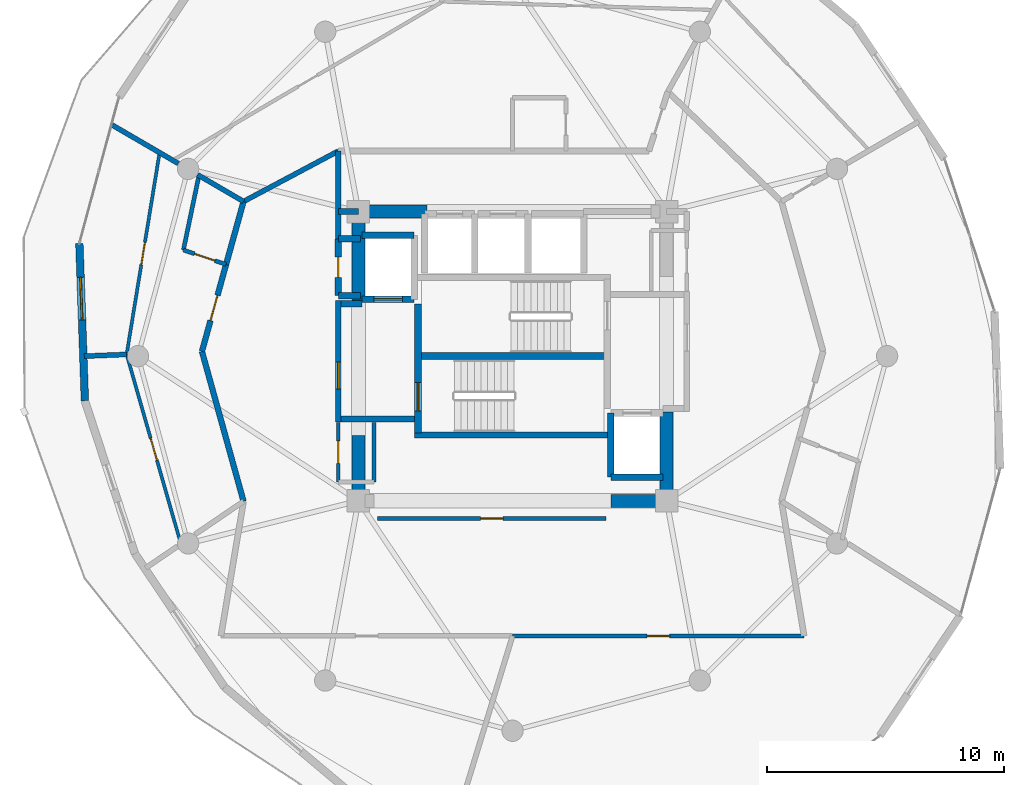
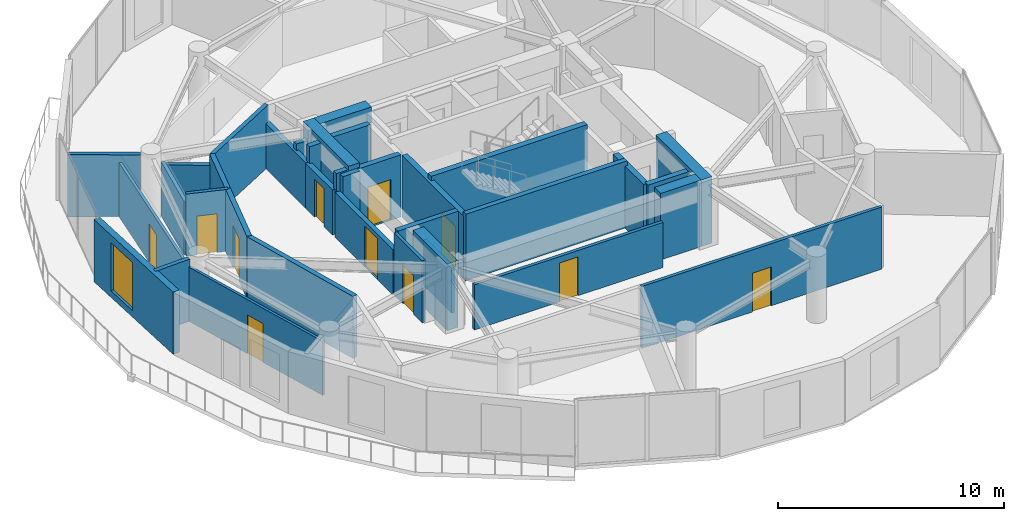
# One storey, part 14 of 18: 36 walls, 11 doors, 1 window, 12 openings.
"""IFC4 building model written with IfcOpenShell, lengths in metres."""

from ifc_helpers import new_model, si_unit, direction, frame, frame_2d, origin, place, context, subcontext, project, spatial, rectangle, extrude, material, layer, layer_set, type_object, element, fill, save


model = new_model("IFC4")

# Units and contexts
model_context = context("Model", 3, precision=1e-05, world=origin(), true_north=direction((0.0, 1.0)))
body_context = subcontext(model_context, "Body", "Model", "MODEL_VIEW")
ifc_project = project(units=[si_unit("LENGTHUNIT", "METRE"), si_unit("AREAUNIT", "SQUARE_METRE"), si_unit("VOLUMEUNIT", "CUBIC_METRE"), si_unit("PLANEANGLEUNIT", "RADIAN"), si_unit("MASSUNIT", "GRAM", prefix="KILO")], contexts=[model_context])

# Site, building, storey
site_placement = place(None, origin())
site = spatial("IfcSite", under=ifc_project, at=site_placement, CompositionType="ELEMENT")
building_placement = place(site_placement, origin())
building = spatial("IfcBuilding", under=site, at=building_placement, Name="Solvirekh Grand Hotel", CompositionType="ELEMENT")
storey_placement = place(building_placement, frame((0.0, 0.0, 202.0)))
storey = spatial("IfcBuildingStorey", under=building, at=storey_placement, Name="L52", CompositionType="ELEMENT", Elevation=202.0)

# Wall
ifc_material_1 = material(Name="Concrete C50/60", Category="concrete")
ifc_layer_1 = layer(ifc_material_1, 0.35009765625)
ifc_layer_set_1 = layer_set([ifc_layer_1], Name="Concrete C50/60")
wall_type_1 = type_object("IfcWallType", Name="CoreDivWall_RC350", PredefinedType="SOLIDWALL", material=ifc_layer_set_1)
wall_1_placement = place(storey_placement, frame((-4.1298828125, -3.324951171875, 0.0), z_axis=(0.0, 0.0, 1.0), x_axis=(1.0, 0.0, 0.0)))
element("IfcWall", 1, at=wall_1_placement, inside=storey, type_object=wall_type_1, Name="L52 core stair box wall ST-S", PredefinedType="SOLIDWALL", context=body_context, shape_type="SweptSolid", body=[
    extrude(rectangle(XDim=8.259765625, YDim=0.25, at=frame_2d((4.1298828125, 0.0))), origin(), (0.0, 0.0, 1.0), 3.60009765625),
])

# Wall, opening, door
ifc_material_2 = material(Name="Concrete C40/50", Category="concrete")
ifc_layer_2 = layer(ifc_material_2, 0.280029296875)
ifc_layer_set_2 = layer_set([ifc_layer_2], Name="Concrete C40/50")
wall_type_2 = type_object("IfcWallType", Name="CoreShaftWall_RC280", PredefinedType="SOLIDWALL", material=ifc_layer_set_2)
wall_2_placement = place(storey_placement, frame((-6.35009765625, 2.39990234375, 0.0), z_axis=(0.0, 0.0, 1.0), x_axis=(1.0, 0.0, 0.0)))
wall_2 = element("IfcWall", 2, at=wall_2_placement, inside=storey, type_object=wall_type_2, Name="L52 FL-1 hoistway S wall", PredefinedType="SOLIDWALL", context=body_context, shape_type="SweptSolid", body=[
    extrude(rectangle(XDim=2.2001953125, YDim=0.280029296875, at=frame_2d((1.10009765625, 0.0))), origin(), (0.0, 0.0, 1.0), 3.360107421875),
])
opening_1_placement = place(wall_2_placement, frame((0.5, 0.0, 0.0)))
opening_1 = element("IfcOpeningElement", 3, at=opening_1_placement, cuts=wall_2, Name="Opening LD02", PredefinedType="OPENING", context=body_context, shape_type="SweptSolid", body=[
    extrude(rectangle(XDim=1.199951171875, YDim=2.199951171875, at=frame_2d((0.60009765625, 1.10009765625))), frame((0.0, 0.14990234375, 0.0), z_axis=(0.0, -1.0, 0.0), x_axis=(1.0, 0.0, 0.0)), (0.0, 0.0, 1.0), 0.300048828125),
])
ifc_material_3 = material(Name="Fire-Rated Steel Door Assembly", Category="steel")
door_type_1 = type_object("IfcDoorType", Name="Door_LiftFF_1200X2200", OperationType="SLIDING_TO_LEFT", PredefinedType="DOOR", material=ifc_material_3)
door_1_placement = place(opening_1_placement, origin())
door_1 = element("IfcDoor", 4, at=door_1_placement, inside=storey, type_object=door_type_1, Name="L52 FL-1 sliding lift landing door", OperationType="SLIDING_TO_LEFT", OverallHeight=2.199951171875, OverallWidth=1.199951171875, PredefinedType="DOOR", context=body_context, shape_type="SweptSolid", body=[
    extrude(rectangle(XDim=1.199951171875, YDim=2.199951171875, at=frame_2d((0.60009765625, 1.10009765625))), frame((0.0, 0.02490234375, 0.0), z_axis=(0.0, -1.0, 0.0), x_axis=(1.0, 0.0, 0.0)), (0.0, 0.0, 1.0), 0.050048828125),
])
fill(opening_1, door_1)

# Walls
for number, where, z_axis, x_axis, name in (
    (5, (-4.14990234375, 5.10009765625, 0.0), (0.0, 0.0, 1.0), (-1.0, 0.0, 0.0), "L52 FL-1 hoistway N wall"),
    (6, (4.14990234375, -5.10009765625, 0.0), (0.0, 0.0, 1.0), (1.0, 0.0, 0.0), "L52 FL-2 hoistway S wall"),
):
    element("IfcWall", number, at=place(storey_placement, frame(where, z_axis=z_axis, x_axis=x_axis)), inside=storey, type_object=wall_type_2, Name=name, PredefinedType="SOLIDWALL", context=body_context, shape_type="SweptSolid", body=[
        extrude(rectangle(XDim=2.2001953125, YDim=0.280029296875, at=frame_2d((1.10009765625, 0.0))), origin(), (0.0, 0.0, 1.0), 3.360107421875),
    ])
wall_3_placement = place(storey_placement, frame((4.14990234375, -2.39990234375, 0.0), z_axis=(0.0, 0.0, 1.0), x_axis=(0.0, -1.0, 0.0)))
element("IfcWall", 7, at=wall_3_placement, inside=storey, type_object=wall_type_2, Name="L52 FL-2 hoistway W wall", PredefinedType="SOLIDWALL", context=body_context, shape_type="SweptSolid", body=[
    extrude(rectangle(XDim=2.7001953125, YDim=0.280029296875, at=frame_2d((1.35009765625, 0.0))), origin(), (0.0, 0.0, 1.0), 3.360107421875),
])

# Wall, opening, door
wall_4_placement = place(storey_placement, frame((-3.989990234375, -3.25, 0.0), z_axis=(0.0, 0.0, 1.0), x_axis=(0.0, 1.0, 0.0)))
wall_4 = element("IfcWall", 8, at=wall_4_placement, inside=storey, type_object=wall_type_2, Name="L52 west stair landing enclosure wall", PredefinedType="SOLIDWALL", context=body_context, shape_type="SweptSolid", body=[
    extrude(rectangle(XDim=5.4599609375, YDim=0.280029296875, at=frame_2d((2.72998046875, 0.0))), origin(), (0.0, 0.0, 1.0), 3.360107421875),
])
opening_2_placement = place(wall_4_placement, frame((0.93701171875, 0.0, 0.0)))
opening_2 = element("IfcOpeningElement", 9, at=opening_2_placement, cuts=wall_4, Name="Opening D05", PredefinedType="OPENING", context=body_context, shape_type="SweptSolid", body=[
    extrude(rectangle(XDim=1.199951171875, YDim=2.199951171875, at=frame_2d((0.60009765625, 1.10009765625))), frame((0.0, 0.14990234375, 0.0), z_axis=(0.0, -1.0, 0.0), x_axis=(1.0, 0.0, 0.0)), (0.0, 0.0, 1.0), 0.300048828125),
])
door_type_2 = type_object("IfcDoorType", Name="Door_StairCore_1200X2200", OperationType="NOTDEFINED", PredefinedType="DOOR", material=ifc_material_3)
door_2_placement = place(opening_2_placement, origin())
door_2 = element("IfcDoor", 10, at=door_2_placement, inside=storey, type_object=door_type_2, Name="L52 exit stair ST-1 fire door", OperationType="SINGLE_SWING_RIGHT", OverallHeight=2.199951171875, OverallWidth=1.199951171875, PredefinedType="DOOR", context=body_context, shape_type="SweptSolid", body=[
    extrude(rectangle(XDim=1.199951171875, YDim=2.199951171875, at=frame_2d((0.60009765625, 1.10009765625))), frame((0.0, 0.02490234375, 0.0), z_axis=(0.0, -1.0, 0.0), x_axis=(1.0, 0.0, 0.0)), (0.0, 0.0, 1.0), 0.050048828125),
])
fill(opening_2, door_2)

# Walls
ifc_layer_3 = layer(ifc_material_1, 0.550048828125)
ifc_layer_set_3 = layer_set([ifc_layer_3], Name="Concrete C50/60")
wall_type_3 = type_object("IfcWallType", Name="CoreWall_RC550", PredefinedType="SHEAR", material=ifc_layer_set_3)
wall_5_placement = place(storey_placement, frame((-3.989990234375, 0.0, 0.0), z_axis=(0.0, 0.0, 1.0), x_axis=(1.0, 0.0, 0.0)))
element("IfcWall", 11, at=wall_5_placement, inside=storey, type_object=wall_type_3, Name="L52 central stair-spine shear wall", PredefinedType="SHEAR", context=body_context, shape_type="SweptSolid", body=[
    extrude(rectangle(XDim=7.97998046875, YDim=0.300048828125, at=frame_2d((3.989990234375, 0.0))), origin(), (0.0, 0.0, 1.0), 3.60009765625),
])
wall_6_placement = place(storey_placement, frame((4.14990234375, -6.10009765625, 0.0), z_axis=(0.0, 0.0, 1.0), x_axis=(1.0, 0.0, 0.0)))
element("IfcWall", 12, at=wall_6_placement, inside=storey, type_object=wall_type_3, Name="L52 core corner shear wall SE-S", PredefinedType="SHEAR", context=body_context, shape_type="SweptSolid", body=[
    extrude(rectangle(XDim=2.0751953125, YDim=0.550048828125, at=frame_2d((1.03759765625, 0.0))), origin(), (0.0, 0.0, 1.0), 3.60009765625),
])
wall_7_placement = place(storey_placement, frame((-6.22509765625, 6.10009765625, 0.0), z_axis=(0.0, 0.0, 1.0), x_axis=(1.0, 0.0, 0.0)))
element("IfcWall", 13, at=wall_7_placement, inside=storey, type_object=wall_type_3, Name="L52 core corner shear wall NW-N", PredefinedType="SHEAR", context=body_context, shape_type="SweptSolid", body=[
    extrude(rectangle(XDim=2.625, YDim=0.550048828125, at=frame_2d((1.3125, 0.0))), origin(), (0.0, 0.0, 1.0), 3.60009765625),
])
wall_8_placement = place(storey_placement, frame((-6.5, 2.35009765625, 0.0), z_axis=(0.0, 0.0, 1.0), x_axis=(0.0, 1.0, 0.0)))
element("IfcWall", 14, at=wall_8_placement, inside=storey, type_object=wall_type_3, Name="L52 core corner shear wall WN-W", PredefinedType="SHEAR", context=body_context, shape_type="SweptSolid", body=[
    extrude(rectangle(XDim=4.02490234375, YDim=0.550048828125, at=frame_2d((2.012451171875, 0.0))), origin(), (0.0, 0.0, 1.0), 3.60009765625),
])
wall_9_placement = place(storey_placement, frame((-6.5, -6.375, 0.0), z_axis=(0.0, 0.0, 1.0), x_axis=(0.0, 1.0, 0.0)))
element("IfcWall", 15, at=wall_9_placement, inside=storey, type_object=wall_type_3, Name="L52 core corner shear wall WS-W", PredefinedType="SHEAR", context=body_context, shape_type="SweptSolid", body=[
    extrude(rectangle(XDim=3.02490234375, YDim=0.550048828125, at=frame_2d((1.512451171875, 0.0))), origin(), (0.0, 0.0, 1.0), 3.60009765625),
])
wall_10_placement = place(storey_placement, frame((6.5, -6.375, 0.0), z_axis=(0.0, 0.0, 1.0), x_axis=(0.0, 1.0, 0.0)))
element("IfcWall", 16, at=wall_10_placement, inside=storey, type_object=wall_type_3, Name="L52 core corner shear wall ES-E", PredefinedType="SHEAR", context=body_context, shape_type="SweptSolid", body=[
    extrude(rectangle(XDim=4.02490234375, YDim=0.550048828125, at=frame_2d((2.012451171875, 0.0))), origin(), (0.0, 0.0, 1.0), 3.60009765625),
])

# Wall, opening, window
ifc_material_4 = material(Name="Precast concrete C45/55", Category="concrete")
ifc_layer_4 = layer(ifc_material_4, 0.320068359375)
ifc_layer_set_4 = layer_set([ifc_layer_4], Name="Precast concrete C45/55")
wall_type_4 = type_object("IfcWallType", Name="ExtLobbyWall_RC320", PredefinedType="SOLIDWALL", material=ifc_layer_set_4)
wall_11_placement = place(storey_placement, frame((-18.0380859375, -1.8798828125, 0.0), z_axis=(0.0, 0.0, 1.0), x_axis=(-0.034951390179, 0.99938901351, 0.0)))
wall_11 = element("IfcWall", 17, at=wall_11_placement, inside=storey, type_object=wall_type_4, Name="L52 exterior structural wall chord 14", PredefinedType="SOLIDWALL", context=body_context, shape_type="SweptSolid", body=[
    extrude(rectangle(XDim=6.635986328125, YDim=0.320068359375, at=frame_2d((3.31787109375, 0.0))), origin(), (0.0, 0.0, 1.0), 3.360107421875),
])
opening_3_placement = place(wall_11_placement, frame((3.407958984375, 0.0, 0.35009765625)))
opening_3 = element("IfcOpeningElement", 18, at=opening_3_placement, cuts=wall_11, Name="Opening W02", PredefinedType="OPENING", context=body_context, shape_type="SweptSolid", body=[
    extrude(rectangle(XDim=1.800048828125, YDim=2.60009765625, at=frame_2d((0.89990234375, 1.300048828125))), frame((0.0, 0.169921875, 0.0), z_axis=(0.0, -1.0, 0.0), x_axis=(1.0, 0.0, 0.0)), (0.0, 0.0, 1.0), 0.340087890625),
])
ifc_material_5 = material(Name="Low-E Tinted Bronze Laminated Glass", Category="aluminium")
window_type = type_object("IfcWindowType", Name="Win_LobbyExt_1800X2600", PartitioningType="SINGLE_PANEL", PredefinedType="WINDOW", material=ifc_material_5)
window_placement = place(opening_3_placement, origin())
window = element("IfcWindow", 19, at=window_placement, inside=storey, type_object=window_type, Name="L52 panoramic bronze-framed window 14", OverallHeight=2.60009765625, OverallWidth=1.800048828125, PartitioningType="SINGLE_PANEL", PredefinedType="WINDOW", context=body_context, shape_type="SweptSolid", body=[
    extrude(rectangle(XDim=1.800048828125, YDim=2.60009765625, at=frame_2d((0.89990234375, 1.300048828125))), frame((0.0, 0.030029296875, 0.0), z_axis=(0.0, -1.0, 0.0), x_axis=(1.0, 0.0, 0.0)), (0.0, 0.0, 1.0), 0.06005859375),
])
fill(opening_3, window)

# Wall
ifc_material_6 = material(Name="Acoustic Gypsum Partition Assembly")
ifc_layer_5 = layer(ifc_material_6, 0.1650390625)
ifc_layer_set_5 = layer_set([ifc_layer_5], Name="Acoustic Gypsum Partition Assembly")
wall_type_5 = type_object("IfcWallType", Name="Part_BOH_165", PredefinedType="PARTITIONING", material=ifc_layer_set_5)
wall_12_placement = place(storey_placement, frame((-5.85009765625, -5.300048828125, 0.0), z_axis=(0.0, 0.0, 1.0), x_axis=(0.0, 1.0, 0.0)))
element("IfcWall", 20, at=wall_12_placement, inside=storey, type_object=wall_type_5, Name="L52 L52 Core Linen Store wall 2", PredefinedType="PARTITIONING", context=body_context, shape_type="SweptSolid", body=[
    extrude(rectangle(XDim=2.5, YDim=0.1650390625, at=frame_2d((1.25, 0.0))), origin(), (0.0, 0.0, 1.0), 2.445068359375),
])

# Wall, opening, door
wall_13_placement = place(storey_placement, frame((-7.35009765625, -2.800048828125, 0.0), z_axis=(0.0, 0.0, 1.0), x_axis=(0.0, -1.0, 0.0)))
wall_13 = element("IfcWall", 21, at=wall_13_placement, inside=storey, type_object=wall_type_5, Name="L52 L52 Core Linen Store wall 4", PredefinedType="PARTITIONING", context=body_context, shape_type="SweptSolid", body=[
    extrude(rectangle(XDim=2.5, YDim=0.1650390625, at=frame_2d((1.25, 0.0))), origin(), (0.0, 0.0, 1.0), 3.360107421875),
])
opening_4_placement = place(wall_13_placement, frame((0.77490234375, 0.0, 0.0)))
opening_4 = element("IfcOpeningElement", 22, at=opening_4_placement, cuts=wall_13, Name="Opening D10", PredefinedType="OPENING", context=body_context, shape_type="SweptSolid", body=[
    extrude(rectangle(XDim=0.949951171875, YDim=2.10009765625, at=frame_2d((0.47509765625, 1.050048828125))), frame((0.0, 0.092529296875, 0.0), z_axis=(0.0, -1.0, 0.0), x_axis=(1.0, 0.0, 0.0)), (0.0, 0.0, 1.0), 0.18505859375),
])
ifc_material_7 = material(Name="Anodized Bronze Aluminium 6063-T6", Category="aluminium")
door_type_3 = type_object("IfcDoorType", Name="Door_RoomInt_950X2100", OperationType="NOTDEFINED", PredefinedType="DOOR", material=ifc_material_7)
door_3_placement = place(opening_4_placement, origin())
door_3 = element("IfcDoor", 23, at=door_3_placement, inside=storey, type_object=door_type_3, Name="L52 L52 Core Linen Store door", OperationType="SINGLE_SWING_LEFT", OverallHeight=2.10009765625, OverallWidth=0.949951171875, PredefinedType="DOOR", context=body_context, shape_type="SweptSolid", body=[
    extrude(rectangle(XDim=0.949951171875, YDim=2.10009765625, at=frame_2d((0.47509765625, 1.050048828125))), frame((0.0, 0.02490234375, 0.0), z_axis=(0.0, -1.0, 0.0), x_axis=(1.0, 0.0, 0.0)), (0.0, 0.0, 1.0), 0.050048828125),
])
fill(opening_4, door_3)

wall_14_placement = place(storey_placement, frame((-5.699951171875, -6.85009765625, 0.0), z_axis=(0.0, 0.0, 1.0), x_axis=(1.0, 0.0, 0.0)))
wall_14 = element("IfcWall", 24, at=wall_14_placement, inside=storey, type_object=wall_type_5, Name="L52 Housekeeping & Linen Store wall 1", PredefinedType="PARTITIONING", context=body_context, shape_type="SweptSolid", body=[
    extrude(rectangle(XDim=9.64990234375, YDim=0.1650390625, at=frame_2d((4.824951171875, 0.0))), origin(), (0.0, 0.0, 1.0), 2.445068359375),
])
opening_5_placement = place(wall_14_placement, frame((4.35009765625, 0.0, 0.0)))
opening_5 = element("IfcOpeningElement", 25, at=opening_5_placement, cuts=wall_14, Name="Opening D10", PredefinedType="OPENING", context=body_context, shape_type="SweptSolid", body=[
    extrude(rectangle(XDim=0.949951171875, YDim=2.10009765625, at=frame_2d((0.47509765625, 1.050048828125))), frame((0.0, 0.092529296875, 0.0), z_axis=(0.0, -1.0, 0.0), x_axis=(1.0, 0.0, 0.0)), (0.0, 0.0, 1.0), 0.18505859375),
])
door_4_placement = place(opening_5_placement, origin())
door_4 = element("IfcDoor", 26, at=door_4_placement, inside=storey, type_object=door_type_3, Name="L52 Housekeeping & Linen Store door", OperationType="SINGLE_SWING_LEFT", OverallHeight=2.10009765625, OverallWidth=0.949951171875, PredefinedType="DOOR", context=body_context, shape_type="SweptSolid", body=[
    extrude(rectangle(XDim=0.949951171875, YDim=2.10009765625, at=frame_2d((0.47509765625, 1.050048828125))), frame((0.0, 0.02490234375, 0.0), z_axis=(0.0, -1.0, 0.0), x_axis=(1.0, 0.0, 0.0)), (0.0, 0.0, 1.0), 0.050048828125),
])
fill(opening_5, door_4)

wall_15_placement = place(storey_placement, frame((0.0, -11.800048828125, 0.0), z_axis=(0.0, 0.0, 1.0), x_axis=(1.0, 0.0, 0.0)))
wall_15 = element("IfcWall", 27, at=wall_15_placement, inside=storey, type_object=wall_type_5, Name="L52 L52 Butler Valet & Linen Steward Room entrance wall", PredefinedType="PARTITIONING", context=body_context, shape_type="SweptSolid", body=[
    extrude(rectangle(XDim=12.300048828125, YDim=0.1650390625, at=frame_2d((6.14990234375, 0.0))), origin(), (0.0, 0.0, 1.0), 3.360107421875),
])
opening_6_placement = place(wall_15_placement, frame((5.675048828125, 0.0, 0.0)))
opening_6 = element("IfcOpeningElement", 28, at=opening_6_placement, cuts=wall_15, Name="Opening D10", PredefinedType="OPENING", context=body_context, shape_type="SweptSolid", body=[
    extrude(rectangle(XDim=0.949951171875, YDim=2.10009765625, at=frame_2d((0.47509765625, 1.050048828125))), frame((0.0, 0.092529296875, 0.0), z_axis=(0.0, -1.0, 0.0), x_axis=(1.0, 0.0, 0.0)), (0.0, 0.0, 1.0), 0.18505859375),
])
door_5_placement = place(opening_6_placement, origin())
door_5 = element("IfcDoor", 29, at=door_5_placement, inside=storey, type_object=door_type_3, Name="L52 L52 Butler Valet & Linen Steward Room entrance door", OperationType="SINGLE_SWING_LEFT", OverallHeight=2.10009765625, OverallWidth=0.949951171875, PredefinedType="DOOR", context=body_context, shape_type="SweptSolid", body=[
    extrude(rectangle(XDim=0.949951171875, YDim=2.10009765625, at=frame_2d((0.47509765625, 1.050048828125))), frame((0.0, 0.02490234375, 0.0), z_axis=(0.0, -1.0, 0.0), x_axis=(1.0, 0.0, 0.0)), (0.0, 0.0, 1.0), 0.050048828125),
])
fill(opening_6, door_5)

ifc_layer_6 = layer(ifc_material_6, 0.239990234375)
ifc_layer_set_6 = layer_set([ifc_layer_6], Name="Acoustic Gypsum Partition Assembly")
wall_type_6 = type_object("IfcWallType", Name="Part_Corridor_240", PredefinedType="PARTITIONING", material=ifc_layer_set_6)
wall_16_placement = place(storey_placement, frame((-7.35009765625, -2.780029296875, 0.0), z_axis=(0.0, 0.0, 1.0), x_axis=(0.0, 1.0, 0.0)))
wall_16 = element("IfcWall", 30, at=wall_16_placement, inside=storey, type_object=wall_type_6, Name="L52 west firefighting lobby smoke screen wall", PredefinedType="PARTITIONING", context=body_context, shape_type="SweptSolid", body=[
    extrude(rectangle(XDim=5.1201171875, YDim=0.239990234375, at=frame_2d((2.56005859375, 0.0))), origin(), (0.0, 0.0, 1.0), 2.445068359375),
])
opening_7_placement = place(wall_16_placement, frame((1.388916015625, 0.0, 0.0)))
opening_7 = element("IfcOpeningElement", 31, at=opening_7_placement, cuts=wall_16, Name="Opening D06", PredefinedType="OPENING", context=body_context, shape_type="SweptSolid", body=[
    extrude(rectangle(XDim=1.14990234375, YDim=2.199951171875, at=frame_2d((0.574951171875, 1.10009765625))), frame((0.0, 0.1298828125, 0.0), z_axis=(0.0, -1.0, 0.0), x_axis=(1.0, 0.0, 0.0)), (0.0, 0.0, 1.0), 0.260009765625),
])
door_type_4 = type_object("IfcDoorType", Name="Door_FFLobby_1150X2200", OperationType="NOTDEFINED", PredefinedType="DOOR", material=ifc_material_3)
door_6_placement = place(opening_7_placement, origin())
door_6 = element("IfcDoor", 32, at=door_6_placement, inside=storey, type_object=door_type_4, Name="L52 west firefighting lobby smoke door", OperationType="SINGLE_SWING_RIGHT", OverallHeight=2.199951171875, OverallWidth=1.14990234375, PredefinedType="DOOR", context=body_context, shape_type="SweptSolid", body=[
    extrude(rectangle(XDim=1.14990234375, YDim=2.199951171875, at=frame_2d((0.574951171875, 1.10009765625))), frame((0.0, 0.02490234375, 0.0), z_axis=(0.0, -1.0, 0.0), x_axis=(1.0, 0.0, 0.0)), (0.0, 0.0, 1.0), 0.050048828125),
])
fill(opening_7, door_6)

# Walls
wall_17_placement = place(storey_placement, frame((-7.35009765625, 4.949951171875, 0.0), z_axis=(0.0, 0.0, 1.0), x_axis=(0.0, 1.0, 0.0)))
element("IfcWall", 33, at=wall_17_placement, inside=storey, type_object=wall_type_6, Name="L52 north lift lobby west wall", PredefinedType="PARTITIONING", context=body_context, shape_type="SweptSolid", body=[
    extrude(rectangle(XDim=3.699951171875, YDim=0.239990234375, at=frame_2d((1.85009765625, 0.0))), origin(), (0.0, 0.0, 1.0), 2.445068359375),
])
wall_18_placement = place(storey_placement, frame((-7.35009765625, 6.10009765625, 0.0), z_axis=(0.0, 0.0, 1.0), x_axis=(1.0, 0.0, 0.0)))
element("IfcWall", 34, at=wall_18_placement, inside=storey, type_object=wall_type_6, Name="L52 NW core corner closure wall", PredefinedType="PARTITIONING", context=body_context, shape_type="SweptSolid", body=[
    extrude(rectangle(XDim=0.85009765625, YDim=0.239990234375, at=frame_2d((0.425048828125, 0.0))), origin(), (0.0, 0.0, 1.0), 2.801025390625),
])
wall_19_placement = place(storey_placement, frame((-11.344970703125, 6.52490234375, 0.0), z_axis=(0.0, 0.0, 1.0), x_axis=(-0.267401739017, -0.963585133743, 0.0)))
element("IfcWall", 35, at=wall_19_placement, inside=storey, type_object=wall_type_6, Name="L52 En-suite Bathroom 5402 corridor backing wall", PredefinedType="PARTITIONING", context=body_context, shape_type="SweptSolid", body=[
    extrude(rectangle(XDim=2.75634765625, YDim=0.239990234375, at=frame_2d((1.378173828125, 0.0))), origin(), (0.0, 0.0, 1.0), 3.360107421875),
])
wall_20_placement = place(storey_placement, frame((-13.10009765625, 0.199951171875, 0.0), z_axis=(0.0, 0.0, 1.0), x_axis=(0.26738871748, -0.963588747218, 0.0)))
element("IfcWall", 36, at=wall_20_placement, inside=storey, type_object=wall_type_6, Name="L52 Executive Suite 5402 Living Room corridor wall 1", PredefinedType="PARTITIONING", context=body_context, shape_type="SweptSolid", body=[
    extrude(rectangle(XDim=6.56396484375, YDim=0.239990234375, at=frame_2d((3.281982421875, 0.0))), origin(), (0.0, 0.0, 1.0), 3.360107421875),
])

# Wall, opening, door
wall_21_placement = place(storey_placement, frame((-12.08203125, 3.868896484375, 0.0), z_axis=(0.0, 0.0, 1.0), x_axis=(-0.267379290897, -0.963591362975, 0.0)))
wall_21 = element("IfcWall", 37, at=wall_21_placement, inside=storey, type_object=wall_type_6, Name="L52 Executive Suite 5402 Living Room entrance wall", PredefinedType="PARTITIONING", context=body_context, shape_type="SweptSolid", body=[
    extrude(rectangle(XDim=3.8076171875, YDim=0.239990234375, at=frame_2d((1.90380859375, 0.0))), origin(), (0.0, 0.0, 1.0), 3.360107421875),
])
opening_8_placement = place(wall_21_placement, frame((1.35400390625, 0.0, 0.0)))
opening_8 = element("IfcOpeningElement", 38, at=opening_8_placement, cuts=wall_21, Name="Opening D08", PredefinedType="OPENING", context=body_context, shape_type="SweptSolid", body=[
    extrude(rectangle(XDim=1.10009765625, YDim=2.300048828125, at=frame_2d((0.550048828125, 1.14990234375))), frame((0.0, 0.1298828125, 0.0), z_axis=(0.0, -1.0, 0.0), x_axis=(1.0, 0.0, 0.0)), (0.0, 0.0, 1.0), 0.260009765625),
])
door_type_5 = type_object("IfcDoorType", Name="Door_SuiteEntry_1100X2300", OperationType="NOTDEFINED", PredefinedType="DOOR", material=ifc_material_3)
door_7_placement = place(opening_8_placement, origin())
door_7 = element("IfcDoor", 39, at=door_7_placement, inside=storey, type_object=door_type_5, Name="L52 Executive Suite 5402 Living Room entrance door", OperationType="SINGLE_SWING_LEFT", OverallHeight=2.300048828125, OverallWidth=1.10009765625, PredefinedType="DOOR", context=body_context, shape_type="SweptSolid", body=[
    extrude(rectangle(XDim=1.10009765625, YDim=2.300048828125, at=frame_2d((0.550048828125, 1.14990234375))), frame((0.0, 0.02490234375, 0.0), z_axis=(0.0, -1.0, 0.0), x_axis=(1.0, 0.0, 0.0)), (0.0, 0.0, 1.0), 0.050048828125),
])
fill(opening_8, door_7)

# Walls
ifc_layer_7 = layer(ifc_material_6, 0.260009765625)
ifc_layer_set_7 = layer_set([ifc_layer_7], Name="Acoustic Gypsum Partition Assembly")
wall_type_7 = type_object("IfcWallType", Name="Part_LobbyFF_260", PredefinedType="PARTITIONING", material=ifc_layer_set_7)
wall_22_placement = place(storey_placement, frame((-7.22509765625, -2.64990234375, 0.0), z_axis=(0.0, 0.0, 1.0), x_axis=(1.0, 0.0, 0.0)))
element("IfcWall", 40, at=wall_22_placement, inside=storey, type_object=wall_type_7, Name="L52 west firefighting lobby south partition", PredefinedType="PARTITIONING", context=body_context, shape_type="SweptSolid", body=[
    extrude(rectangle(XDim=3.09521484375, YDim=0.260009765625, at=frame_2d((1.547607421875, 0.0))), origin(), (0.0, 0.0, 1.0), 3.360107421875),
])
wall_23_placement = place(storey_placement, frame((-7.22509765625, 2.2099609375, 0.0), z_axis=(0.0, 0.0, 1.0), x_axis=(1.0, 0.0, 0.0)))
element("IfcWall", 41, at=wall_23_placement, inside=storey, type_object=wall_type_7, Name="L52 west firefighting lobby NW cheek", PredefinedType="PARTITIONING", context=body_context, shape_type="SweptSolid", body=[
    extrude(rectangle(XDim=0.875, YDim=0.260009765625, at=frame_2d((0.4375, 0.0))), origin(), (0.0, 0.0, 1.0), 3.360107421875),
])
for number, where, z_axis, x_axis, name in (
    (42, (-7.35009765625, 4.949951171875, 0.0), (0.0, 0.0, 1.0), (1.0, 0.0, 0.0), "L52 NW telecom metering cupboard north wall"),
    (43, (-7.35009765625, 2.550048828125, 0.0), (0.0, 0.0, 1.0), (1.0, 0.0, 0.0), "L52 NW telecom metering cupboard south wall"),
):
    element("IfcWall", number, at=place(storey_placement, frame(where, z_axis=z_axis, x_axis=x_axis)), inside=storey, type_object=wall_type_7, Name=name, PredefinedType="PARTITIONING", context=body_context, shape_type="SweptSolid", body=[
        extrude(rectangle(XDim=0.93017578125, YDim=0.260009765625, at=frame_2d((0.465087890625, 0.0))), origin(), (0.0, 0.0, 1.0), 3.360107421875),
    ])

# Wall, opening, door
wall_24_placement = place(storey_placement, frame((-7.35009765625, 2.550048828125, 0.0), z_axis=(0.0, 0.0, 1.0), x_axis=(0.0, 1.0, 0.0)))
wall_24 = element("IfcWall", 44, at=wall_24_placement, inside=storey, type_object=wall_type_7, Name="L52 NW telecom metering cupboard access wall", PredefinedType="PARTITIONING", context=body_context, shape_type="SweptSolid", body=[
    extrude(rectangle(XDim=2.39990234375, YDim=0.260009765625, at=frame_2d((1.199951171875, 0.0))), origin(), (0.0, 0.0, 1.0), 2.445068359375),
])
opening_9_placement = place(wall_24_placement, frame((0.77490234375, 0.0, 0.0)))
opening_9 = element("IfcOpeningElement", 45, at=opening_9_placement, cuts=wall_24, Name="Opening D13", PredefinedType="OPENING", context=body_context, shape_type="SweptSolid", body=[
    extrude(rectangle(XDim=0.85009765625, YDim=2.050048828125, at=frame_2d((0.425048828125, 1.02490234375))), frame((0.0, 0.14013671875, 0.0), z_axis=(0.0, -1.0, 0.0), x_axis=(1.0, 0.0, 0.0)), (0.0, 0.0, 1.0), 0.280029296875),
])
door_type_6 = type_object("IfcDoorType", Name="Door_RiserShaft_850X2050", OperationType="NOTDEFINED", PredefinedType="DOOR", material=ifc_material_3)
door_8_placement = place(opening_9_placement, origin())
door_8 = element("IfcDoor", 46, at=door_8_placement, inside=storey, type_object=door_type_6, Name="L52 telecom metering cupboard access door", OperationType="SINGLE_SWING_RIGHT", OverallHeight=2.050048828125, OverallWidth=0.85009765625, PredefinedType="DOOR", context=body_context, shape_type="SweptSolid", body=[
    extrude(rectangle(XDim=0.85009765625, YDim=2.050048828125, at=frame_2d((0.425048828125, 1.02490234375))), frame((0.0, 0.02490234375, 0.0), z_axis=(0.0, -1.0, 0.0), x_axis=(1.0, 0.0, 0.0)), (0.0, 0.0, 1.0), 0.050048828125),
])
fill(opening_9, door_8)

ifc_layer_8 = layer(ifc_material_6, 0.135009765625)
ifc_layer_set_8 = layer_set([ifc_layer_8], Name="Acoustic Gypsum Partition Assembly")
wall_type_8 = type_object("IfcWallType", Name="Part_RoomInt_135", PredefinedType="PARTITIONING", material=ifc_layer_set_8)
wall_25_placement = place(storey_placement, frame((-14.886962890625, 8.5859375, 0.0), z_axis=(0.0, 0.0, 1.0), x_axis=(-0.16114427543, -0.986930860038, 0.0)))
wall_25 = element("IfcWall", 47, at=wall_25_placement, inside=storey, type_object=wall_type_8, Name="L52 Executive Suite 5402 Living Room bedroom screen wall", PredefinedType="PARTITIONING", context=body_context, shape_type="SweptSolid", body=[
    extrude(rectangle(XDim=8.626708984375, YDim=0.135009765625, at=frame_2d((4.3134765625, 0.0))), origin(), (0.0, 0.0, 1.0), 2.928955078125),
])
opening_10_placement = place(wall_25_placement, frame((3.837890625, 0.0, 0.0)))
opening_10 = element("IfcOpeningElement", 48, at=opening_10_placement, cuts=wall_25, Name="Opening D10", PredefinedType="OPENING", context=body_context, shape_type="SweptSolid", body=[
    extrude(rectangle(XDim=0.949951171875, YDim=2.10009765625, at=frame_2d((0.47509765625, 1.050048828125))), frame((0.0, 0.07763671875, 0.0), z_axis=(0.0, -1.0, 0.0), x_axis=(1.0, 0.0, 0.0)), (0.0, 0.0, 1.0), 0.155029296875),
])
door_9_placement = place(opening_10_placement, origin())
door_9 = element("IfcDoor", 49, at=door_9_placement, inside=storey, type_object=door_type_3, Name="L52 Executive Suite 5402 Living Room master bedroom door", OperationType="SINGLE_SWING_RIGHT", OverallHeight=2.10009765625, OverallWidth=0.949951171875, PredefinedType="DOOR", context=body_context, shape_type="SweptSolid", body=[
    extrude(rectangle(XDim=0.949951171875, YDim=2.10009765625, at=frame_2d((0.47509765625, 1.050048828125))), frame((0.0, 0.02490234375, 0.0), z_axis=(0.0, -1.0, 0.0), x_axis=(1.0, 0.0, 0.0)), (0.0, 0.0, 1.0), 0.050048828125),
])
fill(opening_10, door_9)

wall_26_placement = place(storey_placement, frame((-16.277099609375, 0.072021484375, 0.0), z_axis=(0.0, 0.0, 1.0), x_axis=(0.275388011089, -0.961333159393, 0.0)))
wall_26 = element("IfcWall", 50, at=wall_26_placement, inside=storey, type_object=wall_type_8, Name="L52 Executive Suite 5402 Panorama Suite Study bedroom screen wall", PredefinedType="PARTITIONING", context=body_context, shape_type="SweptSolid", body=[
    extrude(rectangle(XDim=8.315673828125, YDim=0.135009765625, at=frame_2d((4.15771484375, 0.0))), origin(), (0.0, 0.0, 1.0), 2.928955078125),
])
opening_11_placement = place(wall_26_placement, frame((3.68310546875, 0.0, 0.0)))
opening_11 = element("IfcOpeningElement", 51, at=opening_11_placement, cuts=wall_26, Name="Opening D10", PredefinedType="OPENING", context=body_context, shape_type="SweptSolid", body=[
    extrude(rectangle(XDim=0.949951171875, YDim=2.10009765625, at=frame_2d((0.47509765625, 1.050048828125))), frame((0.0, 0.07763671875, 0.0), z_axis=(0.0, -1.0, 0.0), x_axis=(1.0, 0.0, 0.0)), (0.0, 0.0, 1.0), 0.155029296875),
])
door_10_placement = place(opening_11_placement, origin())
door_10 = element("IfcDoor", 52, at=door_10_placement, inside=storey, type_object=door_type_3, Name="L52 Executive Suite 5402 Panorama Suite Study master bedroom door", OperationType="SINGLE_SWING_LEFT", OverallHeight=2.10009765625, OverallWidth=0.949951171875, PredefinedType="DOOR", context=body_context, shape_type="SweptSolid", body=[
    extrude(rectangle(XDim=0.949951171875, YDim=2.10009765625, at=frame_2d((0.47509765625, 1.050048828125))), frame((0.0, 0.02490234375, 0.0), z_axis=(0.0, -1.0, 0.0), x_axis=(1.0, 0.0, 0.0)), (0.0, 0.0, 1.0), 0.050048828125),
])
fill(opening_11, door_10)

# Walls
ifc_layer_9 = layer(ifc_material_6, 0.2099609375)
ifc_layer_set_9 = layer_set([ifc_layer_9], Name="Acoustic Gypsum Partition Assembly")
wall_type_9 = type_object("IfcWallType", Name="Part_SuiteDemise_210", PredefinedType="PARTITIONING", material=ifc_layer_set_9)
wall_27_placement = place(storey_placement, frame((-11.344970703125, 6.52490234375, 0.0), z_axis=(0.0, 0.0, 1.0), x_axis=(-0.864228712324, 0.5030991282, 0.0)))
element("IfcWall", 53, at=wall_27_placement, inside=storey, type_object=wall_type_9, Name="L52 suite radial wall 6 (A)", PredefinedType="PARTITIONING", context=body_context, shape_type="SweptSolid", body=[
    extrude(rectangle(XDim=2.242431640625, YDim=0.2099609375, at=frame_2d((1.12109375, 0.0))), origin(), (0.0, 0.0, 1.0), 2.801025390625),
])
wall_28_placement = place(storey_placement, frame((-14.094970703125, 8.125, 0.0), z_axis=(0.0, 0.0, 1.0), x_axis=(-0.864298015092, 0.502980060348, 0.0)))
element("IfcWall", 54, at=wall_28_placement, inside=storey, type_object=wall_type_9, Name="L52 suite radial wall 6 (B)", PredefinedType="PARTITIONING", context=body_context, shape_type="SweptSolid", body=[
    extrude(rectangle(XDim=3.220947265625, YDim=0.2099609375, at=frame_2d((1.6103515625, 0.0))), origin(), (0.0, 0.0, 1.0), 3.360107421875),
])
wall_29_placement = place(storey_placement, frame((-11.344970703125, 6.52490234375, 0.0), z_axis=(0.0, 0.0, 1.0), x_axis=(0.882866201619, 0.469624605445, 0.0)))
element("IfcWall", 55, at=wall_29_placement, inside=storey, type_object=wall_type_9, Name="L52 Panorama Suite 5401 Inner Suite Lounge dividing partition 1", PredefinedType="PARTITIONING", context=body_context, shape_type="SweptSolid", body=[
    extrude(rectangle(XDim=4.52490234375, YDim=0.2099609375, at=frame_2d((2.262451171875, 0.0))), origin(), (0.0, 0.0, 1.0), 3.360107421875),
])
wall_30_placement = place(storey_placement, frame((-16.277099609375, 0.072021484375, 0.0), z_axis=(0.0, 0.0, 1.0), x_axis=(-0.999188699438, -0.040273352416, 0.0)))
element("IfcWall", 56, at=wall_30_placement, inside=storey, type_object=wall_type_9, Name="L52 Executive Suite 5402 Living Room dividing partition 1", PredefinedType="PARTITIONING", context=body_context, shape_type="SweptSolid", body=[
    extrude(rectangle(XDim=1.788330078125, YDim=0.2099609375, at=frame_2d((0.89404296875, 0.0))), origin(), (0.0, 0.0, 1.0), 3.360107421875),
])
ifc_layer_10 = layer(ifc_material_6, 0.175048828125)
ifc_layer_set_10 = layer_set([ifc_layer_10], Name="Acoustic Gypsum Partition Assembly")
wall_type_10 = type_object("IfcWallType", Name="Plumb_Ensuite_175", PredefinedType="PLUMBINGWALL", material=ifc_layer_set_10)
wall_31_placement = place(storey_placement, frame((-13.22705078125, 7.6201171875, 0.0), z_axis=(0.0, 0.0, 1.0), x_axis=(-0.203899627086, -0.978991798778, 0.0)))
element("IfcWall", 57, at=wall_31_placement, inside=storey, type_object=wall_type_10, Name="L52 En-suite Bathroom 5402 outer plumbing wall", PredefinedType="PLUMBINGWALL", context=body_context, shape_type="SweptSolid", body=[
    extrude(rectangle(XDim=3.21240234375, YDim=0.175048828125, at=frame_2d((1.606201171875, 0.0))), origin(), (0.0, 0.0, 1.0), 2.928955078125),
])

# Wall, opening, door
wall_32_placement = place(storey_placement, frame((-12.08203125, 3.868896484375, 0.0), z_axis=(0.0, 0.0, 1.0), x_axis=(-0.947701891678, 0.319156896384, 0.0)))
wall_32 = element("IfcWall", 58, at=wall_32_placement, inside=storey, type_object=wall_type_10, Name="L52 En-suite Bathroom 5402 entry plumbing wall", PredefinedType="PLUMBINGWALL", context=body_context, shape_type="SweptSolid", body=[
    extrude(rectangle(XDim=1.8994140625, YDim=0.175048828125, at=frame_2d((0.94970703125, 0.0))), origin(), (0.0, 0.0, 1.0), 3.360107421875),
])
opening_12_placement = place(wall_32_placement, frame((0.5, 0.0, 0.0)))
opening_12 = element("IfcOpeningElement", 59, at=opening_12_placement, cuts=wall_32, Name="Opening D09", PredefinedType="OPENING", context=body_context, shape_type="SweptSolid", body=[
    extrude(rectangle(XDim=0.89990234375, YDim=2.10009765625, at=frame_2d((0.449951171875, 1.050048828125))), frame((0.0, 0.09765625, 0.0), z_axis=(0.0, -1.0, 0.0), x_axis=(1.0, 0.0, 0.0)), (0.0, 0.0, 1.0), 0.195068359375),
])
door_type_7 = type_object("IfcDoorType", Name="Door_Ensuite_900X2100", OperationType="NOTDEFINED", PredefinedType="DOOR", material=ifc_material_7)
door_11_placement = place(opening_12_placement, origin())
door_11 = element("IfcDoor", 60, at=door_11_placement, inside=storey, type_object=door_type_7, Name="L52 En-suite Bathroom 5402 door", OperationType="SINGLE_SWING_RIGHT", OverallHeight=2.10009765625, OverallWidth=0.89990234375, PredefinedType="DOOR", context=body_context, shape_type="SweptSolid", body=[
    extrude(rectangle(XDim=0.89990234375, YDim=2.10009765625, at=frame_2d((0.449951171875, 1.050048828125))), frame((0.0, 0.02490234375, 0.0), z_axis=(0.0, -1.0, 0.0), x_axis=(1.0, 0.0, 0.0)), (0.0, 0.0, 1.0), 0.050048828125),
])
fill(opening_12, door_11)

save(model, "model.ifc")
